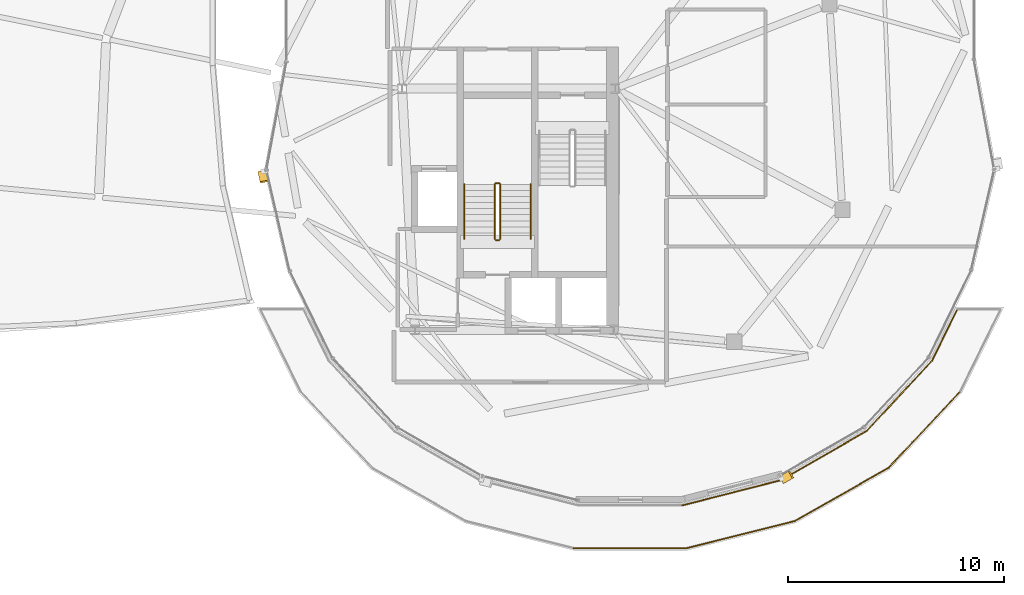
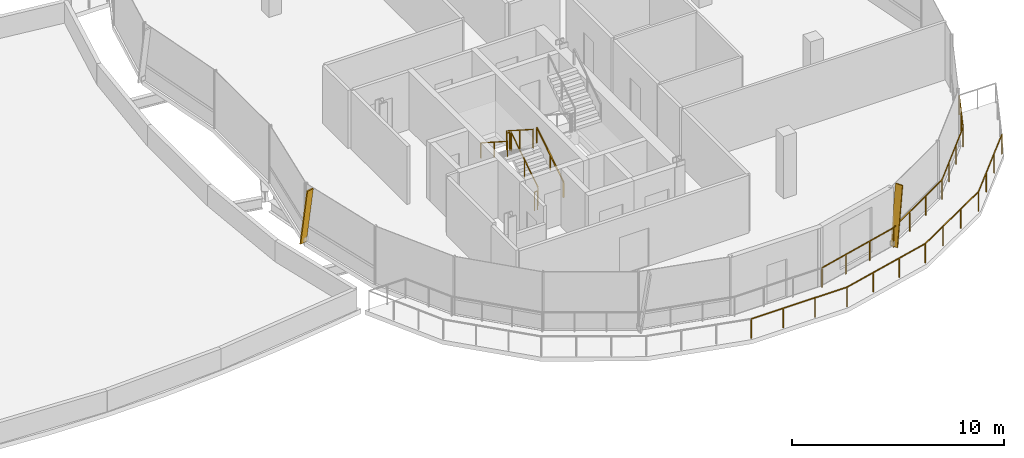
# One storey, part 29 of 31: 10 railings, 2 shading devices.
"""IFC4 building model written with IfcOpenShell, lengths in metres."""

from ifc_helpers import new_model, si_unit, direction, frame, origin, origin_2d, place, context, subcontext, project, spatial, rectangle, extrude, material, material_profile, profile_set, type_object, element, save


model = new_model("IFC4")

# Units and contexts
model_context = context("Model", 3, precision=1e-05, world=origin(), true_north=direction((0.0, 1.0)))
body_context = subcontext(model_context, "Body", "Model", "MODEL_VIEW")
ifc_project = project(units=[si_unit("LENGTHUNIT", "METRE"), si_unit("AREAUNIT", "SQUARE_METRE"), si_unit("VOLUMEUNIT", "CUBIC_METRE"), si_unit("PLANEANGLEUNIT", "RADIAN"), si_unit("MASSUNIT", "GRAM", prefix="KILO"), si_unit("THERMODYNAMICTEMPERATUREUNIT", "KELVIN"), si_unit("POWERUNIT", "WATT")], contexts=[model_context])

# Site, building, storey
site_placement = place(None, origin())
site = spatial("IfcSite", under=ifc_project, at=site_placement, CompositionType="ELEMENT")
building_placement = place(site_placement, origin())
building = spatial("IfcBuilding", under=site, at=building_placement, Name="Cundina Bronze Exchange", CompositionType="ELEMENT")
storey_placement = place(building_placement, frame((0.0, 0.0, 275.60009765625)))
storey = spatial("IfcBuildingStorey", under=building, at=storey_placement, Name="L73", CompositionType="ELEMENT", Elevation=275.60009765625)

# Railings
ifc_material_1 = material(Name="Anodised Bronze Aluminium 6063-T6", Category="aluminium")
railing_type_1 = type_object("IfcRailingType", Name="RLG-GRD-1150", PredefinedType="GUARDRAIL", material=ifc_material_1)
railing_1_placement = place(storey_placement, frame((47.243896484375, -17.903564453125, 0.0)))
element("IfcRailing", 1, at=railing_1_placement, inside=storey, type_object=railing_type_1, Name="L73 Perimeter Safety Guardrail 01", PredefinedType="GUARDRAIL", context=body_context, shape_type="SweptSolid", body=[
    extrude(rectangle(XDim=0.048095703125, YDim=0.048095703125, at=origin_2d()), frame((0.0, 0.0, 1.1259765625), z_axis=(-0.684374532241, -0.729130646469, 0.0), x_axis=(0.729130646469, -0.684374532241, 0.0)), (0.0, 0.0, 1.0), 4.8330078125),
    extrude(rectangle(XDim=0.048095703125, YDim=0.048095703125, at=origin_2d()), frame((-3.3076171875, -3.52392578125, 1.1259765625), z_axis=(-0.86955534313, -0.493835504226, 0.0), x_axis=(0.493835504226, -0.86955534313, 0.0)), (0.0, 0.0, 1.0), 4.968994140625),
    extrude(rectangle(XDim=0.0419921875, YDim=0.0419921875, at=origin_2d()), origin(), (0.0, 0.0, 1.0), 1.101806640625),
    extrude(rectangle(XDim=0.0419921875, YDim=0.0419921875, at=origin_2d()), frame((-1.1025390625, -1.174560546875, 0.0)), (0.0, 0.0, 1.0), 1.101806640625),
    extrude(rectangle(XDim=0.0419921875, YDim=0.0419921875, at=origin_2d()), frame((-2.205078125, -2.349365234375, 0.0)), (0.0, 0.0, 1.0), 1.101806640625),
    extrude(rectangle(XDim=0.0419921875, YDim=0.0419921875, at=origin_2d()), frame((-3.3076171875, -3.52392578125, 0.0)), (0.0, 0.0, 1.0), 1.101806640625),
    extrude(rectangle(XDim=0.0419921875, YDim=0.0419921875, at=origin_2d()), frame((-4.747802734375, -4.341796875, 0.0)), (0.0, 0.0, 1.0), 1.101806640625),
    extrude(rectangle(XDim=0.0419921875, YDim=0.0419921875, at=origin_2d()), frame((-6.188232421875, -5.159912109375, 0.0)), (0.0, 0.0, 1.0), 1.101806640625),
    extrude(rectangle(XDim=0.0419921875, YDim=0.0419921875, at=origin_2d()), frame((-7.62841796875, -5.977783203125, 0.0)), (0.0, 0.0, 1.0), 1.101806640625),
])
railing_2_placement = place(storey_placement, frame((39.615478515625, -23.88134765625, 0.0)))
element("IfcRailing", 2, at=railing_2_placement, inside=storey, type_object=railing_type_1, Name="L73 Perimeter Safety Guardrail 02", PredefinedType="GUARDRAIL", context=body_context, shape_type="SweptSolid", body=[
    extrude(rectangle(XDim=0.048095703125, YDim=0.048095703125, at=origin_2d()), frame((0.0, 0.0, 1.1259765625), z_axis=(-0.969737184332, -0.244151168998, 0.0), x_axis=(0.244151168998, -0.969737184332, 0.0)), (0.0, 0.0, 1.0), 5.15478515625),
    extrude(rectangle(XDim=0.048095703125, YDim=0.048095703125, at=origin_2d()), frame((-4.998779296875, -1.258544921875, 1.1259765625), z_axis=(-1.0, 0.0, 0.0), x_axis=(0.0, -1.0, 0.0)), (0.0, 0.0, 1.0), 5.2333984375),
    extrude(rectangle(XDim=0.0419921875, YDim=0.0419921875, at=origin_2d()), origin(), (0.0, 0.0, 1.0), 1.101806640625),
    extrude(rectangle(XDim=0.0419921875, YDim=0.0419921875, at=origin_2d()), frame((-1.666259765625, -0.41943359375, 0.0)), (0.0, 0.0, 1.0), 1.101806640625),
    extrude(rectangle(XDim=0.0419921875, YDim=0.0419921875, at=origin_2d()), frame((-3.33251953125, -0.839111328125, 0.0)), (0.0, 0.0, 1.0), 1.101806640625),
    extrude(rectangle(XDim=0.0419921875, YDim=0.0419921875, at=origin_2d()), frame((-4.998779296875, -1.258544921875, 0.0)), (0.0, 0.0, 1.0), 1.101806640625),
    extrude(rectangle(XDim=0.0419921875, YDim=0.0419921875, at=origin_2d()), frame((-6.7431640625, -1.258544921875, 0.0)), (0.0, 0.0, 1.0), 1.101806640625),
    extrude(rectangle(XDim=0.0419921875, YDim=0.0419921875, at=origin_2d()), frame((-8.48779296875, -1.258544921875, 0.0)), (0.0, 0.0, 1.0), 1.101806640625),
    extrude(rectangle(XDim=0.0419921875, YDim=0.0419921875, at=origin_2d()), frame((-10.232177734375, -1.258544921875, 0.0)), (0.0, 0.0, 1.0), 1.101806640625),
])
railing_3_placement = place(storey_placement, frame((34.3876953125, -23.168212890625, 0.0)))
element("IfcRailing", 3, at=railing_3_placement, inside=storey, type_object=railing_type_1, Name="L73 Perimeter Safety Guardrail 08", PredefinedType="GUARDRAIL", context=body_context, shape_type="SweptSolid", body=[
    extrude(rectangle(XDim=0.048095703125, YDim=0.048095703125, at=origin_2d()), frame((0.0, 0.0, 1.1259765625), z_axis=(0.968966978327, 0.247190199869, 0.0), x_axis=(-0.247190199869, 0.968966978327, 0.0)), (0.0, 0.0, 1.0), 4.723876953125),
    extrude(rectangle(XDim=0.048095703125, YDim=0.048095703125, at=origin_2d()), frame((4.577392578125, 1.167724609375, 1.1259765625), z_axis=(0.867108491991, 0.498119326183, 0.0), x_axis=(-0.498119326183, 0.867108491991, 0.0)), (0.0, 0.0, 1.0), 4.56396484375),
    extrude(rectangle(XDim=0.0419921875, YDim=0.0419921875, at=origin_2d()), origin(), (0.0, 0.0, 1.0), 1.101806640625),
    extrude(rectangle(XDim=0.0419921875, YDim=0.0419921875, at=origin_2d()), frame((1.52587890625, 0.38916015625, 0.0)), (0.0, 0.0, 1.0), 1.101806640625),
    extrude(rectangle(XDim=0.0419921875, YDim=0.0419921875, at=origin_2d()), frame((3.051513671875, 0.778564453125, 0.0)), (0.0, 0.0, 1.0), 1.101806640625),
    extrude(rectangle(XDim=0.0419921875, YDim=0.0419921875, at=origin_2d()), frame((4.577392578125, 1.167724609375, 0.0)), (0.0, 0.0, 1.0), 1.101806640625),
    extrude(rectangle(XDim=0.0419921875, YDim=0.0419921875, at=origin_2d()), frame((5.896484375, 1.925537109375, 0.0)), (0.0, 0.0, 1.0), 1.101806640625),
    extrude(rectangle(XDim=0.0419921875, YDim=0.0419921875, at=origin_2d()), frame((7.2158203125, 2.683349609375, 0.0)), (0.0, 0.0, 1.0), 1.101806640625),
    extrude(rectangle(XDim=0.0419921875, YDim=0.0419921875, at=origin_2d()), frame((8.534912109375, 3.441162109375, 0.0)), (0.0, 0.0, 1.0), 1.101806640625),
])
railing_4_placement = place(storey_placement, frame((42.922607421875, -19.72705078125, 0.0)))
element("IfcRailing", 4, at=railing_4_placement, inside=storey, type_object=railing_type_1, Name="L73 Perimeter Safety Guardrail 09", PredefinedType="GUARDRAIL", context=body_context, shape_type="SweptSolid", body=[
    extrude(rectangle(XDim=0.048095703125, YDim=0.048095703125, at=origin_2d()), frame((0.0, 0.0, 1.1259765625), z_axis=(0.681296870711, 0.732007222615, 0.0), x_axis=(-0.732007222615, 0.681296870711, 0.0)), (0.0, 0.0, 1.0), 4.448486328125),
    extrude(rectangle(XDim=0.048095703125, YDim=0.048095703125, at=origin_2d()), frame((3.03076171875, 3.25634765625, 1.1259765625), z_axis=(0.439873538042, 0.898059725481, 0.0), x_axis=(-0.898059725481, 0.439873538042, 0.0)), (0.0, 0.0, 1.0), 2.6396484375),
    extrude(rectangle(XDim=0.0419921875, YDim=0.0419921875, at=origin_2d()), origin(), (0.0, 0.0, 1.0), 1.101806640625),
    extrude(rectangle(XDim=0.0419921875, YDim=0.0419921875, at=origin_2d()), frame((1.01025390625, 1.08544921875, 0.0)), (0.0, 0.0, 1.0), 1.101806640625),
    extrude(rectangle(XDim=0.0419921875, YDim=0.0419921875, at=origin_2d()), frame((2.0205078125, 2.1708984375, 0.0)), (0.0, 0.0, 1.0), 1.101806640625),
    extrude(rectangle(XDim=0.0419921875, YDim=0.0419921875, at=origin_2d()), frame((3.03076171875, 3.25634765625, 0.0)), (0.0, 0.0, 1.0), 1.101806640625),
    extrude(rectangle(XDim=0.0419921875, YDim=0.0419921875, at=origin_2d()), frame((3.611328125, 4.441650390625, 0.0)), (0.0, 0.0, 1.0), 1.101806640625),
    extrude(rectangle(XDim=0.0419921875, YDim=0.0419921875, at=origin_2d()), frame((4.19189453125, 5.626953125, 0.0)), (0.0, 0.0, 1.0), 1.101806640625),
])
ifc_material_2 = material(Name="Steel ASTM A36 Painted", Category="steel")
railing_type_2 = type_object("IfcRailingType", Name="RLG-HND-900", PredefinedType="HANDRAIL", material=ifc_material_2)
railing_5_placement = place(storey_placement, frame((27.389892578125, -10.85009765625, 0.179931640625)))
element("IfcRailing", 5, at=railing_5_placement, inside=storey, type_object=railing_type_2, Name="L73 ST-E2 stair handrail 1", PredefinedType="HANDRAIL", context=body_context, shape_type="SweptSolid", body=[
    extrude(rectangle(XDim=0.048095703125, YDim=0.048095703125, at=origin_2d()), frame((0.0, 0.0, 0.8759765625), z_axis=(0.0, 0.841199657755, 0.540724639528), x_axis=(-1.0, 0.0, 0.0)), (0.0, 0.0, 1.0), 2.995849609375),
    extrude(rectangle(XDim=0.0419921875, YDim=0.0419921875, at=origin_2d()), origin(), (0.0, 0.0, 1.0), 0.851806640625),
    extrude(rectangle(XDim=0.0419921875, YDim=0.0419921875, at=origin_2d()), frame((0.0, 1.260009765625, 0.81005859375)), (0.0, 0.0, 1.0), 0.851806640625),
    extrude(rectangle(XDim=0.0419921875, YDim=0.0419921875, at=origin_2d()), frame((0.0, 2.52001953125, 1.619873046875)), (0.0, 0.0, 1.0), 0.851806640625),
])
railing_6_placement = place(storey_placement, frame((24.330078125, -8.330078125, 1.97998046875)))
element("IfcRailing", 6, at=railing_6_placement, inside=storey, type_object=railing_type_2, Name="L73 ST-E2 stair handrail 2", PredefinedType="HANDRAIL", context=body_context, shape_type="SweptSolid", body=[
    extrude(rectangle(XDim=0.048095703125, YDim=0.048095703125, at=origin_2d()), frame((0.0, 0.0, 0.8759765625), z_axis=(0.0, -0.841199657755, 0.540724639528), x_axis=(1.0, 0.0, 0.0)), (0.0, 0.0, 1.0), 2.995849609375),
    extrude(rectangle(XDim=0.0419921875, YDim=0.0419921875, at=origin_2d()), origin(), (0.0, 0.0, 1.0), 0.851806640625),
    extrude(rectangle(XDim=0.0419921875, YDim=0.0419921875, at=origin_2d()), frame((0.0, -1.260009765625, 0.81005859375)), (0.0, 0.0, 1.0), 0.851806640625),
    extrude(rectangle(XDim=0.0419921875, YDim=0.0419921875, at=origin_2d()), frame((0.0, -2.52001953125, 1.619873046875)), (0.0, 0.0, 1.0), 0.851806640625),
])
railing_type_3 = type_object("IfcRailingType", Name="RLG-STG-1100", PredefinedType="GUARDRAIL", material=ifc_material_2)
railing_7_placement = place(storey_placement, frame((25.989990234375, -10.85009765625, 0.179931640625)))
element("IfcRailing", 7, at=railing_7_placement, inside=storey, type_object=railing_type_3, Name="L73 ST-E2 stair guard 1", PredefinedType="GUARDRAIL", context=body_context, shape_type="SweptSolid", body=[
    extrude(rectangle(XDim=0.048095703125, YDim=0.048095703125, at=origin_2d()), frame((0.0, 0.0, 1.076171875), z_axis=(0.0, 0.841199657755, 0.540724639528), x_axis=(-1.0, 0.0, 0.0)), (0.0, 0.0, 1.0), 2.995849609375),
    extrude(rectangle(XDim=0.0419921875, YDim=0.0419921875, at=origin_2d()), origin(), (0.0, 0.0, 1.0), 1.052001953125),
    extrude(rectangle(XDim=0.0419921875, YDim=0.0419921875, at=origin_2d()), frame((0.0, 1.260009765625, 0.81005859375)), (0.0, 0.0, 1.0), 1.052001953125),
    extrude(rectangle(XDim=0.0419921875, YDim=0.0419921875, at=origin_2d()), frame((0.0, 2.52001953125, 1.619873046875)), (0.0, 0.0, 1.0), 1.052001953125),
])
railing_8_placement = place(storey_placement, frame((25.93994140625, -8.280029296875, 1.7998046875)))
element("IfcRailing", 8, at=railing_8_placement, inside=storey, type_object=railing_type_3, Name="L73 ST-E2 stair guard 2", PredefinedType="GUARDRAIL", context=body_context, shape_type="SweptSolid", body=[
    extrude(rectangle(XDim=0.048095703125, YDim=0.048095703125, at=origin_2d()), frame((0.0, 0.0, 1.076171875), z_axis=(-1.0, 0.0, 0.0), x_axis=(0.0, -1.0, 0.0)), (0.0, 0.0, 1.0), 0.159912109375),
    extrude(rectangle(XDim=0.0419921875, YDim=0.0419921875, at=origin_2d()), origin(), (0.0, 0.0, 1.0), 1.052001953125),
    extrude(rectangle(XDim=0.0419921875, YDim=0.0419921875, at=origin_2d()), frame((-0.159912109375, 0.0, 0.0)), (0.0, 0.0, 1.0), 1.052001953125),
])
railing_9_placement = place(storey_placement, frame((25.72998046875, -8.330078125, 1.97998046875)))
element("IfcRailing", 9, at=railing_9_placement, inside=storey, type_object=railing_type_3, Name="L73 ST-E2 stair guard 3", PredefinedType="GUARDRAIL", context=body_context, shape_type="SweptSolid", body=[
    extrude(rectangle(XDim=0.048095703125, YDim=0.048095703125, at=origin_2d()), frame((0.0, 0.0, 1.076171875), z_axis=(0.0, -0.841199657755, 0.540724639528), x_axis=(1.0, 0.0, 0.0)), (0.0, 0.0, 1.0), 2.995849609375),
    extrude(rectangle(XDim=0.0419921875, YDim=0.0419921875, at=origin_2d()), origin(), (0.0, 0.0, 1.0), 1.052001953125),
    extrude(rectangle(XDim=0.0419921875, YDim=0.0419921875, at=origin_2d()), frame((0.0, -1.260009765625, 0.81005859375)), (0.0, 0.0, 1.0), 1.052001953125),
    extrude(rectangle(XDim=0.0419921875, YDim=0.0419921875, at=origin_2d()), frame((0.0, -2.52001953125, 1.619873046875)), (0.0, 0.0, 1.0), 1.052001953125),
])
railing_10_placement = place(storey_placement, frame((25.93994140625, -10.89990234375, 0.0)))
element("IfcRailing", 10, at=railing_10_placement, inside=storey, type_object=railing_type_3, Name="L73 ST-E2 stair guard 4", PredefinedType="GUARDRAIL", context=body_context, shape_type="SweptSolid", body=[
    extrude(rectangle(XDim=0.048095703125, YDim=0.048095703125, at=origin_2d()), frame((0.0, 0.0, 1.076171875), z_axis=(-1.0, 0.0, 0.0), x_axis=(0.0, -1.0, 0.0)), (0.0, 0.0, 1.0), 0.159912109375),
    extrude(rectangle(XDim=0.0419921875, YDim=0.0419921875, at=origin_2d()), origin(), (0.0, 0.0, 1.0), 1.052001953125),
    extrude(rectangle(XDim=0.0419921875, YDim=0.0419921875, at=origin_2d()), frame((-0.159912109375, 0.0, 0.0)), (0.0, 0.0, 1.0), 1.052001953125),
])

# Shading devices
ifc_material_profile = material_profile(ifc_material_1, rectangle(XDim=0.070068359375, YDim=0.3798828125, at=origin_2d()), Name="FIN70X380", Category="aluminium")
ifc_profile_set = profile_set([ifc_material_profile], Name="Anodised Bronze Aluminium 6063-T6")
shading_device_type = type_object("IfcShadingDeviceType", Name="SHD-FIN-BRZ380", PredefinedType="USERDEFINED", material=ifc_profile_set)
for number, where, z_axis, x_axis, name in (
    (11, (14.97119140625, -7.733154296875, 0.02001953125), (0.032288177481, -0.140281514859, 0.989585049495), (-0.221966174692, 0.964370046961, 0.143949400194), "L73 Diagonal Bronze Solar Fin 1"),
    (12, (39.01220703125, -21.9794921875, 0.02001953125), (0.124905074088, 0.071677648026, 0.98957619072), (-0.858293459444, -0.492537688626, 0.144010286991), "L73 Diagonal Bronze Solar Fin 1"),
):
    element("IfcShadingDevice", number, at=place(storey_placement, frame(where, z_axis=z_axis, x_axis=x_axis)), inside=storey, type_object=shading_device_type, Name=name, ObjectType="FIN", PredefinedType="USERDEFINED", context=body_context, shape_type="SweptSolid", body=[
        extrude(rectangle(XDim=0.070068359375, YDim=0.3798828125, at=origin_2d()), origin(), (0.0, 0.0, 1.0), 3.33447265625),
    ])

save(model, "model.ifc")
